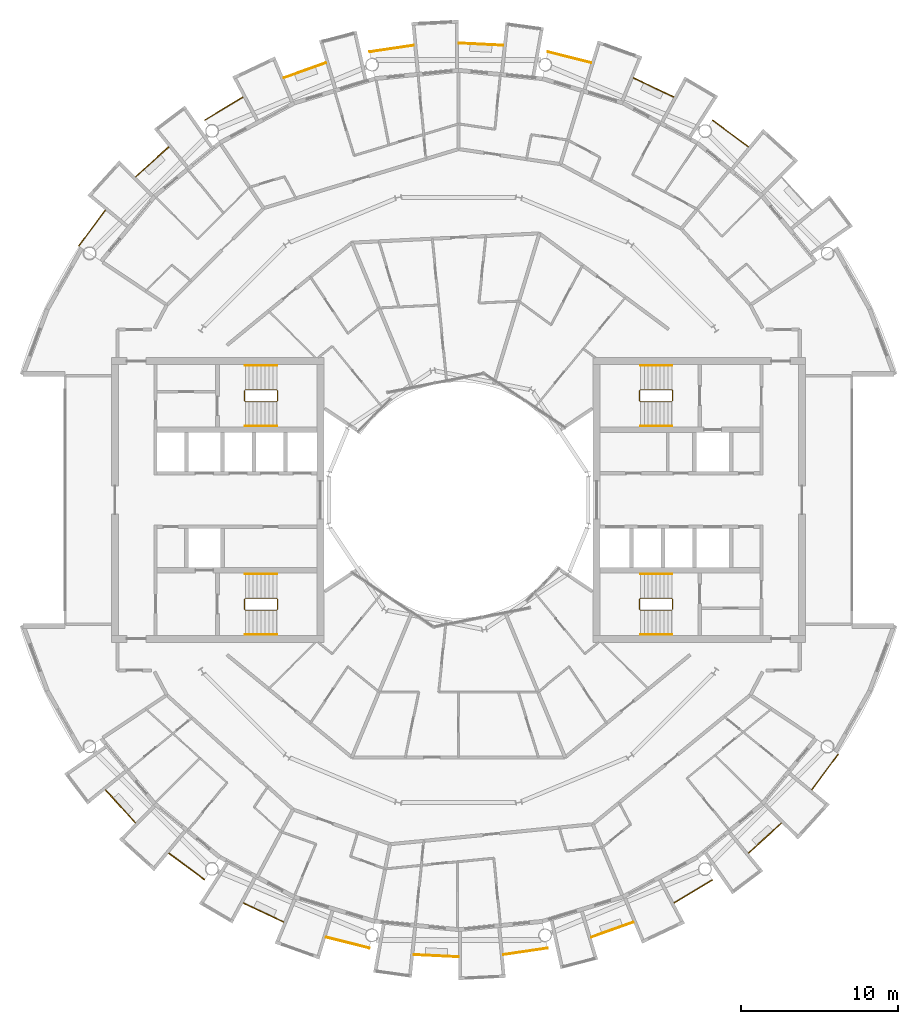
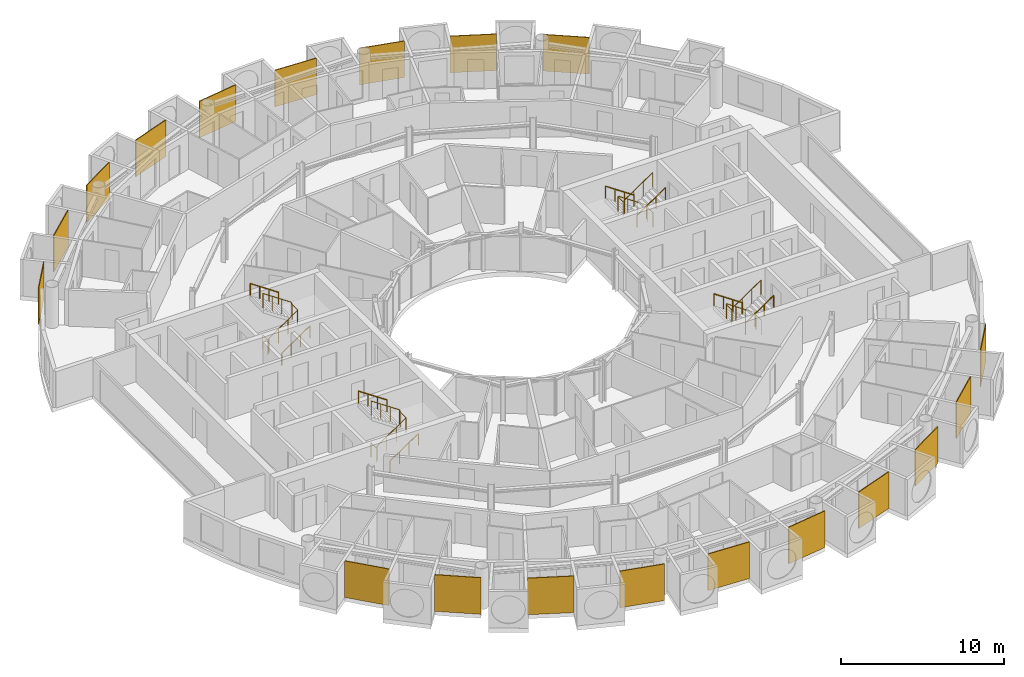
# One storey, part 28 of 29: 31 railings.
"""IFC4 building model written with IfcOpenShell, lengths in metres."""

from ifc_helpers import new_model, si_unit, direction, frame, origin, origin_2d, place, context, subcontext, project, spatial, polyline, circle, outline, extrude, material, layer, layer_set, type_object, element, save


model = new_model("IFC4")

# Units and contexts
model_context = context("Model", 3, precision=1e-05, world=origin(), true_north=direction((0.0, 1.0)))
body_context = subcontext(model_context, "Body", "Model", "MODEL_VIEW")
ifc_project = project(units=[si_unit("LENGTHUNIT", "METRE"), si_unit("AREAUNIT", "SQUARE_METRE"), si_unit("VOLUMEUNIT", "CUBIC_METRE"), si_unit("PLANEANGLEUNIT", "RADIAN"), si_unit("MASSUNIT", "GRAM", prefix="KILO")], contexts=[model_context])

# Site, building, storey
site_placement = place(None, origin())
site = spatial("IfcSite", under=ifc_project, at=site_placement, CompositionType="ELEMENT")
building_placement = place(site_placement, origin())
building = spatial("IfcBuilding", under=site, at=building_placement, Name="Maasbend Ring Residences", CompositionType="ELEMENT")
storey_placement = place(building_placement, frame((0.0, 0.0, 202.39990234375)))
storey = spatial("IfcBuildingStorey", under=building, at=storey_placement, Name="L58", CompositionType="ELEMENT", Elevation=202.39990234375)

# Railings
ifc_material_1 = material(Name="Pale anodised perforated aluminium", Category="aluminium")
ifc_layer = layer(ifc_material_1, 0.06005859375)
ifc_layer_set = layer_set([ifc_layer], Name="SCREEN-P")
railing_type_1 = type_object("IfcRailingType", Name="SCREEN-P", PredefinedType="GUARDRAIL", material=ifc_layer_set)
railing_1_placement = place(storey_placement, frame((0.0, 0.0, -0.02978515625)))
element("IfcRailing", 1, at=railing_1_placement, inside=storey, type_object=railing_type_1, Name="Perforated screen guard 2", PredefinedType="GUARDRAIL", context=body_context, shape_type="SweptSolid", body=[
    extrude(outline(polyline([(18.39697265625, 22.4169921875), (16.112060546875, 24.113037109375), (16.14697265625, 24.160888671875), (18.43310546875, 22.465087890625), (18.39697265625, 22.4169921875)])), origin(), (0.0, 0.0, 1.0), 2.72998046875),
])
railing_2_placement = place(storey_placement, frame((0.0, 0.0, -0.02978515625)))
element("IfcRailing", 2, at=railing_2_placement, inside=storey, type_object=railing_type_1, Name="Perforated screen guard 3", PredefinedType="GUARDRAIL", context=body_context, shape_type="SweptSolid", body=[
    extrude(outline(polyline([(13.6708984375, 25.575927734375), (11.097900390625, 26.79296875), (11.123046875, 26.846923828125), (13.696044921875, 25.6298828125), (13.6708984375, 25.575927734375)])), origin(), (0.0, 0.0, 1.0), 2.72998046875),
])
railing_3_placement = place(storey_placement, frame((0.0, 0.0, -0.02978515625)))
element("IfcRailing", 3, at=railing_3_placement, inside=storey, type_object=railing_type_1, Name="Perforated screen guard 4", PredefinedType="GUARDRAIL", context=body_context, shape_type="SweptSolid", body=[
    extrude(outline(polyline([(8.41796875, 27.7509765625), (5.657958984375, 28.443115234375), (5.672119140625, 28.5009765625), (8.43310546875, 27.80908203125), (8.41796875, 27.7509765625)])), origin(), (0.0, 0.0, 1.0), 2.72998046875),
])
railing_4_placement = place(storey_placement, frame((0.0, 0.0, -0.02978515625)))
element("IfcRailing", 4, at=railing_4_placement, inside=storey, type_object=railing_type_1, Name="Perforated screen guard 5", PredefinedType="GUARDRAIL", context=body_context, shape_type="SweptSolid", body=[
    extrude(outline(polyline([(2.842041015625, 28.860107421875), (0.0, 29.0), (0.0029296875, 29.06005859375), (2.844970703125, 28.919921875), (2.842041015625, 28.860107421875)])), origin(), (0.0, 0.0, 1.0), 2.72998046875),
])
railing_5_placement = place(storey_placement, frame((0.0, 0.0, -0.02978515625)))
element("IfcRailing", 5, at=railing_5_placement, inside=storey, type_object=railing_type_1, Name="Perforated screen guard 6", PredefinedType="GUARDRAIL", context=body_context, shape_type="SweptSolid", body=[
    extrude(outline(polyline([(-2.842041015625, 28.860107421875), (-5.657958984375, 28.443115234375), (-5.666015625, 28.501953125), (-2.85107421875, 28.919921875), (-2.842041015625, 28.860107421875)])), origin(), (0.0, 0.0, 1.0), 2.72998046875),
])
railing_6_placement = place(storey_placement, frame((0.0, 0.0, -0.02978515625)))
element("IfcRailing", 6, at=railing_6_placement, inside=storey, type_object=railing_type_1, Name="Perforated screen guard 7", PredefinedType="GUARDRAIL", context=body_context, shape_type="SweptSolid", body=[
    extrude(outline(polyline([(-8.41796875, 27.7509765625), (-11.097900390625, 26.79296875), (-11.117919921875, 26.84912109375), (-8.43798828125, 27.80810546875), (-8.41796875, 27.7509765625)])), origin(), (0.0, 0.0, 1.0), 2.72998046875),
])
railing_7_placement = place(storey_placement, frame((0.0, 0.0, -0.02978515625)))
element("IfcRailing", 7, at=railing_7_placement, inside=storey, type_object=railing_type_1, Name="Perforated screen guard 8", PredefinedType="GUARDRAIL", context=body_context, shape_type="SweptSolid", body=[
    extrude(outline(polyline([(-13.6708984375, 25.575927734375), (-16.112060546875, 24.113037109375), (-16.14208984375, 24.1640625), (-13.700927734375, 25.626953125), (-13.6708984375, 25.575927734375)])), origin(), (0.0, 0.0, 1.0), 2.72998046875),
])
railing_8_placement = place(storey_placement, frame((0.0, 0.0, -0.02978515625)))
element("IfcRailing", 8, at=railing_8_placement, inside=storey, type_object=railing_type_1, Name="Perforated screen guard 9", PredefinedType="GUARDRAIL", context=body_context, shape_type="SweptSolid", body=[
    extrude(outline(polyline([(-18.39697265625, 22.4169921875), (-20.506103515625, 20.506103515625), (-20.5458984375, 20.551025390625), (-18.43798828125, 22.4619140625), (-18.39697265625, 22.4169921875)])), origin(), (0.0, 0.0, 1.0), 2.72998046875),
])
railing_9_placement = place(storey_placement, frame((0.0, 0.0, -0.02978515625)))
element("IfcRailing", 9, at=railing_9_placement, inside=storey, type_object=railing_type_1, Name="Perforated screen guard 10", PredefinedType="GUARDRAIL", context=body_context, shape_type="SweptSolid", body=[
    extrude(outline(polyline([(-22.4169921875, 18.39697265625), (-24.113037109375, 16.112060546875), (-24.160888671875, 16.14697265625), (-22.465087890625, 18.43310546875), (-22.4169921875, 18.39697265625)])), origin(), (0.0, 0.0, 1.0), 2.72998046875),
])
railing_10_placement = place(storey_placement, frame((0.0, 0.0, -0.02978515625)))
element("IfcRailing", 10, at=railing_10_placement, inside=storey, type_object=railing_type_1, Name="Perforated screen guard 1", PredefinedType="GUARDRAIL", context=body_context, shape_type="SweptSolid", body=[
    extrude(outline(polyline([(-22.4169921875, -18.39697265625), (-20.506103515625, -20.506103515625), (-20.551025390625, -20.5458984375), (-22.4619140625, -18.43798828125), (-22.4169921875, -18.39697265625)])), origin(), (0.0, 0.0, 1.0), 2.72998046875),
])
railing_11_placement = place(storey_placement, frame((0.0, 0.0, -0.02978515625)))
element("IfcRailing", 11, at=railing_11_placement, inside=storey, type_object=railing_type_1, Name="Perforated screen guard 2", PredefinedType="GUARDRAIL", context=body_context, shape_type="SweptSolid", body=[
    extrude(outline(polyline([(-18.39697265625, -22.4169921875), (-16.112060546875, -24.113037109375), (-16.14697265625, -24.160888671875), (-18.43310546875, -22.465087890625), (-18.39697265625, -22.4169921875)])), origin(), (0.0, 0.0, 1.0), 2.72998046875),
])
railing_12_placement = place(storey_placement, frame((0.0, 0.0, -0.02978515625)))
element("IfcRailing", 12, at=railing_12_placement, inside=storey, type_object=railing_type_1, Name="Perforated screen guard 3", PredefinedType="GUARDRAIL", context=body_context, shape_type="SweptSolid", body=[
    extrude(outline(polyline([(-13.6708984375, -25.575927734375), (-11.097900390625, -26.79296875), (-11.123046875, -26.846923828125), (-13.696044921875, -25.6298828125), (-13.6708984375, -25.575927734375)])), origin(), (0.0, 0.0, 1.0), 2.72998046875),
])
railing_13_placement = place(storey_placement, frame((0.0, 0.0, -0.02978515625)))
element("IfcRailing", 13, at=railing_13_placement, inside=storey, type_object=railing_type_1, Name="Perforated screen guard 4", PredefinedType="GUARDRAIL", context=body_context, shape_type="SweptSolid", body=[
    extrude(outline(polyline([(-8.41796875, -27.7509765625), (-5.657958984375, -28.443115234375), (-5.672119140625, -28.5009765625), (-8.43310546875, -27.80908203125), (-8.41796875, -27.7509765625)])), origin(), (0.0, 0.0, 1.0), 2.72998046875),
])
railing_14_placement = place(storey_placement, frame((0.0, 0.0, -0.02978515625)))
element("IfcRailing", 14, at=railing_14_placement, inside=storey, type_object=railing_type_1, Name="Perforated screen guard 5", PredefinedType="GUARDRAIL", context=body_context, shape_type="SweptSolid", body=[
    extrude(outline(polyline([(-2.842041015625, -28.860107421875), (0.0, -29.0), (-0.0029296875, -29.06005859375), (-2.844970703125, -28.919921875), (-2.842041015625, -28.860107421875)])), origin(), (0.0, 0.0, 1.0), 2.72998046875),
])
railing_15_placement = place(storey_placement, frame((0.0, 0.0, -0.02978515625)))
element("IfcRailing", 15, at=railing_15_placement, inside=storey, type_object=railing_type_1, Name="Perforated screen guard 6", PredefinedType="GUARDRAIL", context=body_context, shape_type="SweptSolid", body=[
    extrude(outline(polyline([(2.842041015625, -28.860107421875), (5.657958984375, -28.443115234375), (5.666015625, -28.501953125), (2.85107421875, -28.919921875), (2.842041015625, -28.860107421875)])), origin(), (0.0, 0.0, 1.0), 2.72998046875),
])
railing_16_placement = place(storey_placement, frame((0.0, 0.0, -0.02978515625)))
element("IfcRailing", 16, at=railing_16_placement, inside=storey, type_object=railing_type_1, Name="Perforated screen guard 7", PredefinedType="GUARDRAIL", context=body_context, shape_type="SweptSolid", body=[
    extrude(outline(polyline([(8.41796875, -27.7509765625), (11.097900390625, -26.79296875), (11.117919921875, -26.84912109375), (8.43798828125, -27.80810546875), (8.41796875, -27.7509765625)])), origin(), (0.0, 0.0, 1.0), 2.72998046875),
])
railing_17_placement = place(storey_placement, frame((0.0, 0.0, -0.02978515625)))
element("IfcRailing", 17, at=railing_17_placement, inside=storey, type_object=railing_type_1, Name="Perforated screen guard 8", PredefinedType="GUARDRAIL", context=body_context, shape_type="SweptSolid", body=[
    extrude(outline(polyline([(13.6708984375, -25.575927734375), (16.112060546875, -24.113037109375), (16.14208984375, -24.1640625), (13.700927734375, -25.626953125), (13.6708984375, -25.575927734375)])), origin(), (0.0, 0.0, 1.0), 2.72998046875),
])
railing_18_placement = place(storey_placement, frame((0.0, 0.0, -0.02978515625)))
element("IfcRailing", 18, at=railing_18_placement, inside=storey, type_object=railing_type_1, Name="Perforated screen guard 9", PredefinedType="GUARDRAIL", context=body_context, shape_type="SweptSolid", body=[
    extrude(outline(polyline([(18.39697265625, -22.4169921875), (20.506103515625, -20.506103515625), (20.5458984375, -20.551025390625), (18.43798828125, -22.4619140625), (18.39697265625, -22.4169921875)])), origin(), (0.0, 0.0, 1.0), 2.72998046875),
])
railing_19_placement = place(storey_placement, frame((0.0, 0.0, -0.02978515625)))
element("IfcRailing", 19, at=railing_19_placement, inside=storey, type_object=railing_type_1, Name="Perforated screen guard 10", PredefinedType="GUARDRAIL", context=body_context, shape_type="SweptSolid", body=[
    extrude(outline(polyline([(22.4169921875, -18.39697265625), (24.113037109375, -16.112060546875), (24.160888671875, -16.14697265625), (22.465087890625, -18.43310546875), (22.4169921875, -18.39697265625)])), origin(), (0.0, 0.0, 1.0), 2.72998046875),
])
ifc_material_2 = material(Name="Stainless steel 316", Category="steel")
railing_type_2 = type_object("IfcRailingType", Name="STAIR GUARD 1100", PredefinedType="GUARDRAIL", material=ifc_material_2)
railing_20_placement = place(storey_placement, frame((13.60009765625, 6.300048828125, 0.0)))
element("IfcRailing", 20, at=railing_20_placement, inside=storey, type_object=railing_type_2, Name="L58 ST-E1 stair guard 1", PredefinedType="GUARDRAIL", context=body_context, shape_type="SweptSolid", body=[
    extrude(circle(Radius=0.02392578125, at=origin_2d()), frame((0.0, 0.0, 1.076171875), z_axis=(0.0, 1.0, 0.0), x_axis=(-1.0, 0.0, 0.0)), (0.0, 0.0, 1.0), 0.64990234375),
    extrude(circle(Radius=0.02392578125, at=origin_2d()), frame((0.0, 0.64990234375, 1.076171875), z_axis=(-0.272562526181, 0.272562526181, 0.92272386912), x_axis=(-0.707106781187, -0.707106781187, 0.0)), (0.0, 0.0, 1.0), 0.18359375),
    extrude(circle(Radius=0.02392578125, at=origin_2d()), frame((-0.050048828125, 0.699951171875, 1.24560546875), z_axis=(-0.827750655447, 0.0, 0.561096116906), x_axis=(0.0, -1.0, 0.0)), (0.0, 0.0, 1.0), 2.416259765625),
    extrude(circle(Radius=0.02392578125, at=origin_2d()), frame((-2.050048828125, 0.699951171875, 2.60107421875), z_axis=(-0.707106781187, -0.707106781187, 0.0), x_axis=(0.707106781187, -0.707106781187, 0.0)), (0.0, 0.0, 1.0), 0.07080078125),
    extrude(circle(Radius=0.02392578125, at=origin_2d()), frame((-2.10009765625, 0.64990234375, 2.60107421875), z_axis=(0.0, -1.0, 0.0), x_axis=(1.0, 0.0, 0.0)), (0.0, 0.0, 1.0), 0.64990234375),
    extrude(circle(Radius=0.02392578125, at=origin_2d()), frame((-2.10009765625, 0.0, 2.60107421875), z_axis=(0.272562526181, -0.272562526181, 0.92272386912), x_axis=(0.707106781187, 0.707106781187, 0.0)), (0.0, 0.0, 1.0), 0.18359375),
    extrude(circle(Radius=0.02392578125, at=origin_2d()), frame((-2.050048828125, -0.050048828125, 2.7705078125), z_axis=(0.827797584762, 0.0, 0.561026878735), x_axis=(0.0, 1.0, 0.0)), (0.0, 0.0, 1.0), 2.416015625),
    extrude(circle(Radius=0.02099609375, at=origin_2d()), origin(), (0.0, 0.0, 1.0), 1.052001953125),
    extrude(circle(Radius=0.02099609375, at=origin_2d()), frame((0.0, 0.64990234375, 0.0)), (0.0, 0.0, 1.0), 1.052001953125),
    extrude(circle(Radius=0.02099609375, at=origin_2d()), frame((-0.050048828125, 0.699951171875, 0.16943359375)), (0.0, 0.0, 1.0), 1.052001953125),
    extrude(circle(Radius=0.02099609375, at=origin_2d()), frame((-0.716796875, 0.699951171875, 0.621337890625)), (0.0, 0.0, 1.0), 1.052001953125),
    extrude(circle(Radius=0.02099609375, at=origin_2d()), frame((-1.38330078125, 0.699951171875, 1.0732421875)), (0.0, 0.0, 1.0), 1.052001953125),
    extrude(circle(Radius=0.02099609375, at=origin_2d()), frame((-2.050048828125, 0.699951171875, 1.525146484375)), (0.0, 0.0, 1.0), 1.052001953125),
    extrude(circle(Radius=0.02099609375, at=origin_2d()), frame((-2.10009765625, 0.64990234375, 1.525146484375)), (0.0, 0.0, 1.0), 1.052001953125),
    extrude(circle(Radius=0.02099609375, at=origin_2d()), frame((-2.10009765625, 0.0, 1.525146484375)), (0.0, 0.0, 1.0), 1.052001953125),
    extrude(circle(Radius=0.02099609375, at=origin_2d()), frame((-2.050048828125, -0.050048828125, 1.694580078125)), (0.0, 0.0, 1.0), 1.052001953125),
    extrude(circle(Radius=0.02099609375, at=origin_2d()), frame((-1.38330078125, -0.050048828125, 2.146484375)), (0.0, 0.0, 1.0), 1.052001953125),
    extrude(circle(Radius=0.02099609375, at=origin_2d()), frame((-0.716796875, -0.050048828125, 2.59814453125)), (0.0, 0.0, 1.0), 1.052001953125),
    extrude(circle(Radius=0.02099609375, at=origin_2d()), frame((-0.050048828125, -0.050048828125, 3.050048828125)), (0.0, 0.0, 1.0), 1.052001953125),
])
railing_21_placement = place(storey_placement, frame((13.60009765625, -6.949951171875, 0.0)))
element("IfcRailing", 21, at=railing_21_placement, inside=storey, type_object=railing_type_2, Name="L58 ST-E2 stair guard 1", PredefinedType="GUARDRAIL", context=body_context, shape_type="SweptSolid", body=[
    extrude(circle(Radius=0.02392578125, at=origin_2d()), frame((0.0, 0.0, 1.076171875), z_axis=(0.0, 1.0, 0.0), x_axis=(-1.0, 0.0, 0.0)), (0.0, 0.0, 1.0), 0.64990234375),
    extrude(circle(Radius=0.02392578125, at=origin_2d()), frame((0.0, 0.64990234375, 1.076171875), z_axis=(-0.272562526181, 0.272562526181, 0.92272386912), x_axis=(-0.707106781187, -0.707106781187, 0.0)), (0.0, 0.0, 1.0), 0.18359375),
    extrude(circle(Radius=0.02392578125, at=origin_2d()), frame((-0.050048828125, 0.699951171875, 1.24560546875), z_axis=(-0.827750655447, 0.0, 0.561096116906), x_axis=(0.0, -1.0, 0.0)), (0.0, 0.0, 1.0), 2.416259765625),
    extrude(circle(Radius=0.02392578125, at=origin_2d()), frame((-2.050048828125, 0.699951171875, 2.60107421875), z_axis=(-0.707106781187, -0.707106781187, 0.0), x_axis=(0.707106781187, -0.707106781187, 0.0)), (0.0, 0.0, 1.0), 0.07080078125),
    extrude(circle(Radius=0.02392578125, at=origin_2d()), frame((-2.10009765625, 0.64990234375, 2.60107421875), z_axis=(0.0, -1.0, 0.0), x_axis=(1.0, 0.0, 0.0)), (0.0, 0.0, 1.0), 0.64990234375),
    extrude(circle(Radius=0.02392578125, at=origin_2d()), frame((-2.10009765625, 0.0, 2.60107421875), z_axis=(0.272562526181, -0.272562526181, 0.92272386912), x_axis=(0.707106781187, 0.707106781187, 0.0)), (0.0, 0.0, 1.0), 0.18359375),
    extrude(circle(Radius=0.02392578125, at=origin_2d()), frame((-2.050048828125, -0.050048828125, 2.7705078125), z_axis=(0.827797584762, 0.0, 0.561026878735), x_axis=(0.0, 1.0, 0.0)), (0.0, 0.0, 1.0), 2.416015625),
    extrude(circle(Radius=0.02099609375, at=origin_2d()), origin(), (0.0, 0.0, 1.0), 1.052001953125),
    extrude(circle(Radius=0.02099609375, at=origin_2d()), frame((0.0, 0.64990234375, 0.0)), (0.0, 0.0, 1.0), 1.052001953125),
    extrude(circle(Radius=0.02099609375, at=origin_2d()), frame((-0.050048828125, 0.699951171875, 0.16943359375)), (0.0, 0.0, 1.0), 1.052001953125),
    extrude(circle(Radius=0.02099609375, at=origin_2d()), frame((-0.716796875, 0.699951171875, 0.621337890625)), (0.0, 0.0, 1.0), 1.052001953125),
    extrude(circle(Radius=0.02099609375, at=origin_2d()), frame((-1.38330078125, 0.699951171875, 1.0732421875)), (0.0, 0.0, 1.0), 1.052001953125),
    extrude(circle(Radius=0.02099609375, at=origin_2d()), frame((-2.050048828125, 0.699951171875, 1.525146484375)), (0.0, 0.0, 1.0), 1.052001953125),
    extrude(circle(Radius=0.02099609375, at=origin_2d()), frame((-2.10009765625, 0.64990234375, 1.525146484375)), (0.0, 0.0, 1.0), 1.052001953125),
    extrude(circle(Radius=0.02099609375, at=origin_2d()), frame((-2.10009765625, 0.0, 1.525146484375)), (0.0, 0.0, 1.0), 1.052001953125),
    extrude(circle(Radius=0.02099609375, at=origin_2d()), frame((-2.050048828125, -0.050048828125, 1.694580078125)), (0.0, 0.0, 1.0), 1.052001953125),
    extrude(circle(Radius=0.02099609375, at=origin_2d()), frame((-1.38330078125, -0.050048828125, 2.146484375)), (0.0, 0.0, 1.0), 1.052001953125),
    extrude(circle(Radius=0.02099609375, at=origin_2d()), frame((-0.716796875, -0.050048828125, 2.59814453125)), (0.0, 0.0, 1.0), 1.052001953125),
    extrude(circle(Radius=0.02099609375, at=origin_2d()), frame((-0.050048828125, -0.050048828125, 3.050048828125)), (0.0, 0.0, 1.0), 1.052001953125),
])
railing_22_placement = place(storey_placement, frame((-13.60009765625, -6.300048828125, 0.0)))
element("IfcRailing", 22, at=railing_22_placement, inside=storey, type_object=railing_type_2, Name="L58 ST-W1 stair guard 1", PredefinedType="GUARDRAIL", context=body_context, shape_type="SweptSolid", body=[
    extrude(circle(Radius=0.02392578125, at=origin_2d()), frame((0.0, 0.0, 1.076171875), z_axis=(0.0, -1.0, 0.0), x_axis=(1.0, 0.0, 0.0)), (0.0, 0.0, 1.0), 0.64990234375),
    extrude(circle(Radius=0.02392578125, at=origin_2d()), frame((0.0, -0.64990234375, 1.076171875), z_axis=(0.272562526181, -0.272562526181, 0.92272386912), x_axis=(0.707106781187, 0.707106781187, 0.0)), (0.0, 0.0, 1.0), 0.18359375),
    extrude(circle(Radius=0.02392578125, at=origin_2d()), frame((0.050048828125, -0.699951171875, 1.24560546875), z_axis=(0.827750655447, 0.0, 0.561096116906), x_axis=(0.0, 1.0, 0.0)), (0.0, 0.0, 1.0), 2.416259765625),
    extrude(circle(Radius=0.02392578125, at=origin_2d()), frame((2.050048828125, -0.699951171875, 2.60107421875), z_axis=(0.707106781187, 0.707106781187, 0.0), x_axis=(-0.707106781187, 0.707106781187, 0.0)), (0.0, 0.0, 1.0), 0.07080078125),
    extrude(circle(Radius=0.02392578125, at=origin_2d()), frame((2.10009765625, -0.64990234375, 2.60107421875), z_axis=(0.0, 1.0, 0.0), x_axis=(-1.0, 0.0, 0.0)), (0.0, 0.0, 1.0), 0.64990234375),
    extrude(circle(Radius=0.02392578125, at=origin_2d()), frame((2.10009765625, 0.0, 2.60107421875), z_axis=(-0.272562526181, 0.272562526181, 0.92272386912), x_axis=(-0.707106781187, -0.707106781187, 0.0)), (0.0, 0.0, 1.0), 0.18359375),
    extrude(circle(Radius=0.02392578125, at=origin_2d()), frame((2.050048828125, 0.050048828125, 2.7705078125), z_axis=(-0.827797584762, 0.0, 0.561026878735), x_axis=(0.0, -1.0, 0.0)), (0.0, 0.0, 1.0), 2.416015625),
    extrude(circle(Radius=0.02099609375, at=origin_2d()), origin(), (0.0, 0.0, 1.0), 1.052001953125),
    extrude(circle(Radius=0.02099609375, at=origin_2d()), frame((0.0, -0.64990234375, 0.0)), (0.0, 0.0, 1.0), 1.052001953125),
    extrude(circle(Radius=0.02099609375, at=origin_2d()), frame((0.050048828125, -0.699951171875, 0.16943359375)), (0.0, 0.0, 1.0), 1.052001953125),
    extrude(circle(Radius=0.02099609375, at=origin_2d()), frame((0.716796875, -0.699951171875, 0.621337890625)), (0.0, 0.0, 1.0), 1.052001953125),
    extrude(circle(Radius=0.02099609375, at=origin_2d()), frame((1.38330078125, -0.699951171875, 1.0732421875)), (0.0, 0.0, 1.0), 1.052001953125),
    extrude(circle(Radius=0.02099609375, at=origin_2d()), frame((2.050048828125, -0.699951171875, 1.525146484375)), (0.0, 0.0, 1.0), 1.052001953125),
    extrude(circle(Radius=0.02099609375, at=origin_2d()), frame((2.10009765625, -0.64990234375, 1.525146484375)), (0.0, 0.0, 1.0), 1.052001953125),
    extrude(circle(Radius=0.02099609375, at=origin_2d()), frame((2.10009765625, 0.0, 1.525146484375)), (0.0, 0.0, 1.0), 1.052001953125),
    extrude(circle(Radius=0.02099609375, at=origin_2d()), frame((2.050048828125, 0.050048828125, 1.694580078125)), (0.0, 0.0, 1.0), 1.052001953125),
    extrude(circle(Radius=0.02099609375, at=origin_2d()), frame((1.38330078125, 0.050048828125, 2.146484375)), (0.0, 0.0, 1.0), 1.052001953125),
    extrude(circle(Radius=0.02099609375, at=origin_2d()), frame((0.716796875, 0.050048828125, 2.59814453125)), (0.0, 0.0, 1.0), 1.052001953125),
    extrude(circle(Radius=0.02099609375, at=origin_2d()), frame((0.050048828125, 0.050048828125, 3.050048828125)), (0.0, 0.0, 1.0), 1.052001953125),
])
railing_23_placement = place(storey_placement, frame((-13.60009765625, 6.949951171875, 0.0)))
element("IfcRailing", 23, at=railing_23_placement, inside=storey, type_object=railing_type_2, Name="L58 ST-W2 stair guard 1", PredefinedType="GUARDRAIL", context=body_context, shape_type="SweptSolid", body=[
    extrude(circle(Radius=0.02392578125, at=origin_2d()), frame((0.0, 0.0, 1.076171875), z_axis=(0.0, -1.0, 0.0), x_axis=(1.0, 0.0, 0.0)), (0.0, 0.0, 1.0), 0.64990234375),
    extrude(circle(Radius=0.02392578125, at=origin_2d()), frame((0.0, -0.64990234375, 1.076171875), z_axis=(0.272562526181, -0.272562526181, 0.92272386912), x_axis=(0.707106781187, 0.707106781187, 0.0)), (0.0, 0.0, 1.0), 0.18359375),
    extrude(circle(Radius=0.02392578125, at=origin_2d()), frame((0.050048828125, -0.699951171875, 1.24560546875), z_axis=(0.827750655447, 0.0, 0.561096116906), x_axis=(0.0, 1.0, 0.0)), (0.0, 0.0, 1.0), 2.416259765625),
    extrude(circle(Radius=0.02392578125, at=origin_2d()), frame((2.050048828125, -0.699951171875, 2.60107421875), z_axis=(0.707106781187, 0.707106781187, 0.0), x_axis=(-0.707106781187, 0.707106781187, 0.0)), (0.0, 0.0, 1.0), 0.07080078125),
    extrude(circle(Radius=0.02392578125, at=origin_2d()), frame((2.10009765625, -0.64990234375, 2.60107421875), z_axis=(0.0, 1.0, 0.0), x_axis=(-1.0, 0.0, 0.0)), (0.0, 0.0, 1.0), 0.64990234375),
    extrude(circle(Radius=0.02392578125, at=origin_2d()), frame((2.10009765625, 0.0, 2.60107421875), z_axis=(-0.272562526181, 0.272562526181, 0.92272386912), x_axis=(-0.707106781187, -0.707106781187, 0.0)), (0.0, 0.0, 1.0), 0.18359375),
    extrude(circle(Radius=0.02392578125, at=origin_2d()), frame((2.050048828125, 0.050048828125, 2.7705078125), z_axis=(-0.827797584762, 0.0, 0.561026878735), x_axis=(0.0, -1.0, 0.0)), (0.0, 0.0, 1.0), 2.416015625),
    extrude(circle(Radius=0.02099609375, at=origin_2d()), origin(), (0.0, 0.0, 1.0), 1.052001953125),
    extrude(circle(Radius=0.02099609375, at=origin_2d()), frame((0.0, -0.64990234375, 0.0)), (0.0, 0.0, 1.0), 1.052001953125),
    extrude(circle(Radius=0.02099609375, at=origin_2d()), frame((0.050048828125, -0.699951171875, 0.16943359375)), (0.0, 0.0, 1.0), 1.052001953125),
    extrude(circle(Radius=0.02099609375, at=origin_2d()), frame((0.716796875, -0.699951171875, 0.621337890625)), (0.0, 0.0, 1.0), 1.052001953125),
    extrude(circle(Radius=0.02099609375, at=origin_2d()), frame((1.38330078125, -0.699951171875, 1.0732421875)), (0.0, 0.0, 1.0), 1.052001953125),
    extrude(circle(Radius=0.02099609375, at=origin_2d()), frame((2.050048828125, -0.699951171875, 1.525146484375)), (0.0, 0.0, 1.0), 1.052001953125),
    extrude(circle(Radius=0.02099609375, at=origin_2d()), frame((2.10009765625, -0.64990234375, 1.525146484375)), (0.0, 0.0, 1.0), 1.052001953125),
    extrude(circle(Radius=0.02099609375, at=origin_2d()), frame((2.10009765625, 0.0, 1.525146484375)), (0.0, 0.0, 1.0), 1.052001953125),
    extrude(circle(Radius=0.02099609375, at=origin_2d()), frame((2.050048828125, 0.050048828125, 1.694580078125)), (0.0, 0.0, 1.0), 1.052001953125),
    extrude(circle(Radius=0.02099609375, at=origin_2d()), frame((1.38330078125, 0.050048828125, 2.146484375)), (0.0, 0.0, 1.0), 1.052001953125),
    extrude(circle(Radius=0.02099609375, at=origin_2d()), frame((0.716796875, 0.050048828125, 2.59814453125)), (0.0, 0.0, 1.0), 1.052001953125),
    extrude(circle(Radius=0.02099609375, at=origin_2d()), frame((0.050048828125, 0.050048828125, 3.050048828125)), (0.0, 0.0, 1.0), 1.052001953125),
])
ifc_material_3 = material(Name="Stainless steel 316", Category="steel")
railing_type_3 = type_object("IfcRailingType", Name="STAIR HANDRAIL 900", PredefinedType="HANDRAIL", material=ifc_material_3)
railing_24_placement = place(storey_placement, frame((13.550048828125, 8.550048828125, 0.16943359375)))
element("IfcRailing", 24, at=railing_24_placement, inside=storey, type_object=railing_type_3, Name="L58 ST-E1 stair handrail 1", PredefinedType="HANDRAIL", context=body_context, shape_type="SweptSolid", body=[
    extrude(circle(Radius=0.02392578125, at=origin_2d()), frame((0.0, 0.0, 0.8759765625), z_axis=(-0.827750655447, 0.0, 0.561096116906), x_axis=(0.0, -1.0, 0.0)), (0.0, 0.0, 1.0), 2.416259765625),
    extrude(circle(Radius=0.02099609375, at=origin_2d()), origin(), (0.0, 0.0, 1.0), 0.851806640625),
    extrude(circle(Radius=0.02099609375, at=origin_2d()), frame((-0.666748046875, 0.0, 0.451904296875)), (0.0, 0.0, 1.0), 0.851806640625),
    extrude(circle(Radius=0.02099609375, at=origin_2d()), frame((-1.333251953125, 0.0, 0.90380859375)), (0.0, 0.0, 1.0), 0.851806640625),
    extrude(circle(Radius=0.02099609375, at=origin_2d()), frame((-2.0, 0.0, 1.355712890625)), (0.0, 0.0, 1.0), 0.851806640625),
])
railing_25_placement = place(storey_placement, frame((11.550048828125, 4.699951171875, 1.694580078125)))
element("IfcRailing", 25, at=railing_25_placement, inside=storey, type_object=railing_type_3, Name="L58 ST-E1 stair handrail 2", PredefinedType="HANDRAIL", context=body_context, shape_type="SweptSolid", body=[
    extrude(circle(Radius=0.02392578125, at=origin_2d()), frame((0.0, 0.0, 0.8759765625), z_axis=(0.827797584762, 0.0, 0.561026878735), x_axis=(0.0, 1.0, 0.0)), (0.0, 0.0, 1.0), 2.416015625),
    extrude(circle(Radius=0.02099609375, at=origin_2d()), origin(), (0.0, 0.0, 1.0), 0.851806640625),
    extrude(circle(Radius=0.02099609375, at=origin_2d()), frame((0.666748046875, 0.0, 0.451904296875)), (0.0, 0.0, 1.0), 0.851806640625),
    extrude(circle(Radius=0.02099609375, at=origin_2d()), frame((1.333251953125, 0.0, 0.903564453125)), (0.0, 0.0, 1.0), 0.851806640625),
    extrude(circle(Radius=0.02099609375, at=origin_2d()), frame((2.0, 0.0, 1.35546875)), (0.0, 0.0, 1.0), 0.851806640625),
])
railing_26_placement = place(storey_placement, frame((13.550048828125, -4.699951171875, 0.16943359375)))
element("IfcRailing", 26, at=railing_26_placement, inside=storey, type_object=railing_type_3, Name="L58 ST-E2 stair handrail 1", PredefinedType="HANDRAIL", context=body_context, shape_type="SweptSolid", body=[
    extrude(circle(Radius=0.02392578125, at=origin_2d()), frame((0.0, 0.0, 0.8759765625), z_axis=(-0.827750655447, 0.0, 0.561096116906), x_axis=(0.0, -1.0, 0.0)), (0.0, 0.0, 1.0), 2.416259765625),
    extrude(circle(Radius=0.02099609375, at=origin_2d()), origin(), (0.0, 0.0, 1.0), 0.851806640625),
    extrude(circle(Radius=0.02099609375, at=origin_2d()), frame((-0.666748046875, 0.0, 0.451904296875)), (0.0, 0.0, 1.0), 0.851806640625),
    extrude(circle(Radius=0.02099609375, at=origin_2d()), frame((-1.333251953125, 0.0, 0.90380859375)), (0.0, 0.0, 1.0), 0.851806640625),
    extrude(circle(Radius=0.02099609375, at=origin_2d()), frame((-2.0, 0.0, 1.355712890625)), (0.0, 0.0, 1.0), 0.851806640625),
])
railing_27_placement = place(storey_placement, frame((11.550048828125, -8.550048828125, 1.694580078125)))
element("IfcRailing", 27, at=railing_27_placement, inside=storey, type_object=railing_type_3, Name="L58 ST-E2 stair handrail 2", PredefinedType="HANDRAIL", context=body_context, shape_type="SweptSolid", body=[
    extrude(circle(Radius=0.02392578125, at=origin_2d()), frame((0.0, 0.0, 0.8759765625), z_axis=(0.827797584762, 0.0, 0.561026878735), x_axis=(0.0, 1.0, 0.0)), (0.0, 0.0, 1.0), 2.416015625),
    extrude(circle(Radius=0.02099609375, at=origin_2d()), origin(), (0.0, 0.0, 1.0), 0.851806640625),
    extrude(circle(Radius=0.02099609375, at=origin_2d()), frame((0.666748046875, 0.0, 0.451904296875)), (0.0, 0.0, 1.0), 0.851806640625),
    extrude(circle(Radius=0.02099609375, at=origin_2d()), frame((1.333251953125, 0.0, 0.903564453125)), (0.0, 0.0, 1.0), 0.851806640625),
    extrude(circle(Radius=0.02099609375, at=origin_2d()), frame((2.0, 0.0, 1.35546875)), (0.0, 0.0, 1.0), 0.851806640625),
])
railing_28_placement = place(storey_placement, frame((-13.550048828125, -8.550048828125, 0.16943359375)))
element("IfcRailing", 28, at=railing_28_placement, inside=storey, type_object=railing_type_3, Name="L58 ST-W1 stair handrail 1", PredefinedType="HANDRAIL", context=body_context, shape_type="SweptSolid", body=[
    extrude(circle(Radius=0.02392578125, at=origin_2d()), frame((0.0, 0.0, 0.8759765625), z_axis=(0.827750655447, 0.0, 0.561096116906), x_axis=(0.0, 1.0, 0.0)), (0.0, 0.0, 1.0), 2.416259765625),
    extrude(circle(Radius=0.02099609375, at=origin_2d()), origin(), (0.0, 0.0, 1.0), 0.851806640625),
    extrude(circle(Radius=0.02099609375, at=origin_2d()), frame((0.666748046875, 0.0, 0.451904296875)), (0.0, 0.0, 1.0), 0.851806640625),
    extrude(circle(Radius=0.02099609375, at=origin_2d()), frame((1.333251953125, 0.0, 0.90380859375)), (0.0, 0.0, 1.0), 0.851806640625),
    extrude(circle(Radius=0.02099609375, at=origin_2d()), frame((2.0, 0.0, 1.355712890625)), (0.0, 0.0, 1.0), 0.851806640625),
])
railing_29_placement = place(storey_placement, frame((-11.550048828125, -4.699951171875, 1.694580078125)))
element("IfcRailing", 29, at=railing_29_placement, inside=storey, type_object=railing_type_3, Name="L58 ST-W1 stair handrail 2", PredefinedType="HANDRAIL", context=body_context, shape_type="SweptSolid", body=[
    extrude(circle(Radius=0.02392578125, at=origin_2d()), frame((0.0, 0.0, 0.8759765625), z_axis=(-0.827797584762, 0.0, 0.561026878735), x_axis=(0.0, -1.0, 0.0)), (0.0, 0.0, 1.0), 2.416015625),
    extrude(circle(Radius=0.02099609375, at=origin_2d()), origin(), (0.0, 0.0, 1.0), 0.851806640625),
    extrude(circle(Radius=0.02099609375, at=origin_2d()), frame((-0.666748046875, 0.0, 0.451904296875)), (0.0, 0.0, 1.0), 0.851806640625),
    extrude(circle(Radius=0.02099609375, at=origin_2d()), frame((-1.333251953125, 0.0, 0.903564453125)), (0.0, 0.0, 1.0), 0.851806640625),
    extrude(circle(Radius=0.02099609375, at=origin_2d()), frame((-2.0, 0.0, 1.35546875)), (0.0, 0.0, 1.0), 0.851806640625),
])
railing_30_placement = place(storey_placement, frame((-13.550048828125, 4.699951171875, 0.16943359375)))
element("IfcRailing", 30, at=railing_30_placement, inside=storey, type_object=railing_type_3, Name="L58 ST-W2 stair handrail 1", PredefinedType="HANDRAIL", context=body_context, shape_type="SweptSolid", body=[
    extrude(circle(Radius=0.02392578125, at=origin_2d()), frame((0.0, 0.0, 0.8759765625), z_axis=(0.827750655447, 0.0, 0.561096116906), x_axis=(0.0, 1.0, 0.0)), (0.0, 0.0, 1.0), 2.416259765625),
    extrude(circle(Radius=0.02099609375, at=origin_2d()), origin(), (0.0, 0.0, 1.0), 0.851806640625),
    extrude(circle(Radius=0.02099609375, at=origin_2d()), frame((0.666748046875, 0.0, 0.451904296875)), (0.0, 0.0, 1.0), 0.851806640625),
    extrude(circle(Radius=0.02099609375, at=origin_2d()), frame((1.333251953125, 0.0, 0.90380859375)), (0.0, 0.0, 1.0), 0.851806640625),
    extrude(circle(Radius=0.02099609375, at=origin_2d()), frame((2.0, 0.0, 1.355712890625)), (0.0, 0.0, 1.0), 0.851806640625),
])
railing_31_placement = place(storey_placement, frame((-11.550048828125, 8.550048828125, 1.694580078125)))
element("IfcRailing", 31, at=railing_31_placement, inside=storey, type_object=railing_type_3, Name="L58 ST-W2 stair handrail 2", PredefinedType="HANDRAIL", context=body_context, shape_type="SweptSolid", body=[
    extrude(circle(Radius=0.02392578125, at=origin_2d()), frame((0.0, 0.0, 0.8759765625), z_axis=(-0.827797584762, 0.0, 0.561026878735), x_axis=(0.0, -1.0, 0.0)), (0.0, 0.0, 1.0), 2.416015625),
    extrude(circle(Radius=0.02099609375, at=origin_2d()), origin(), (0.0, 0.0, 1.0), 0.851806640625),
    extrude(circle(Radius=0.02099609375, at=origin_2d()), frame((-0.666748046875, 0.0, 0.451904296875)), (0.0, 0.0, 1.0), 0.851806640625),
    extrude(circle(Radius=0.02099609375, at=origin_2d()), frame((-1.333251953125, 0.0, 0.903564453125)), (0.0, 0.0, 1.0), 0.851806640625),
    extrude(circle(Radius=0.02099609375, at=origin_2d()), frame((-2.0, 0.0, 1.35546875)), (0.0, 0.0, 1.0), 0.851806640625),
])

save(model, "model.ifc")
